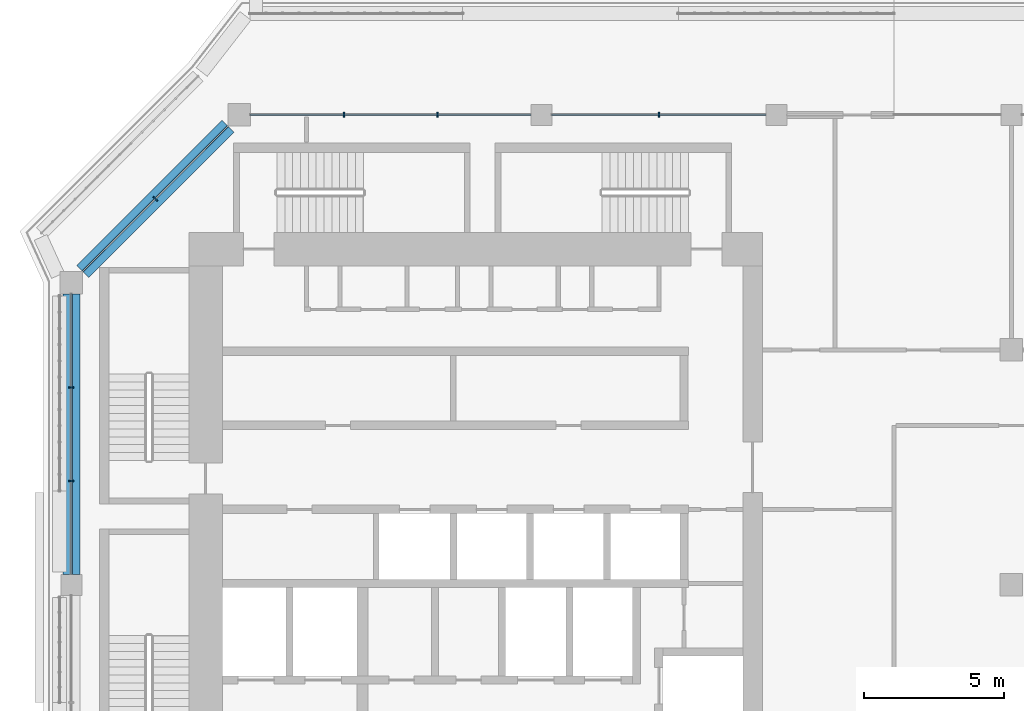
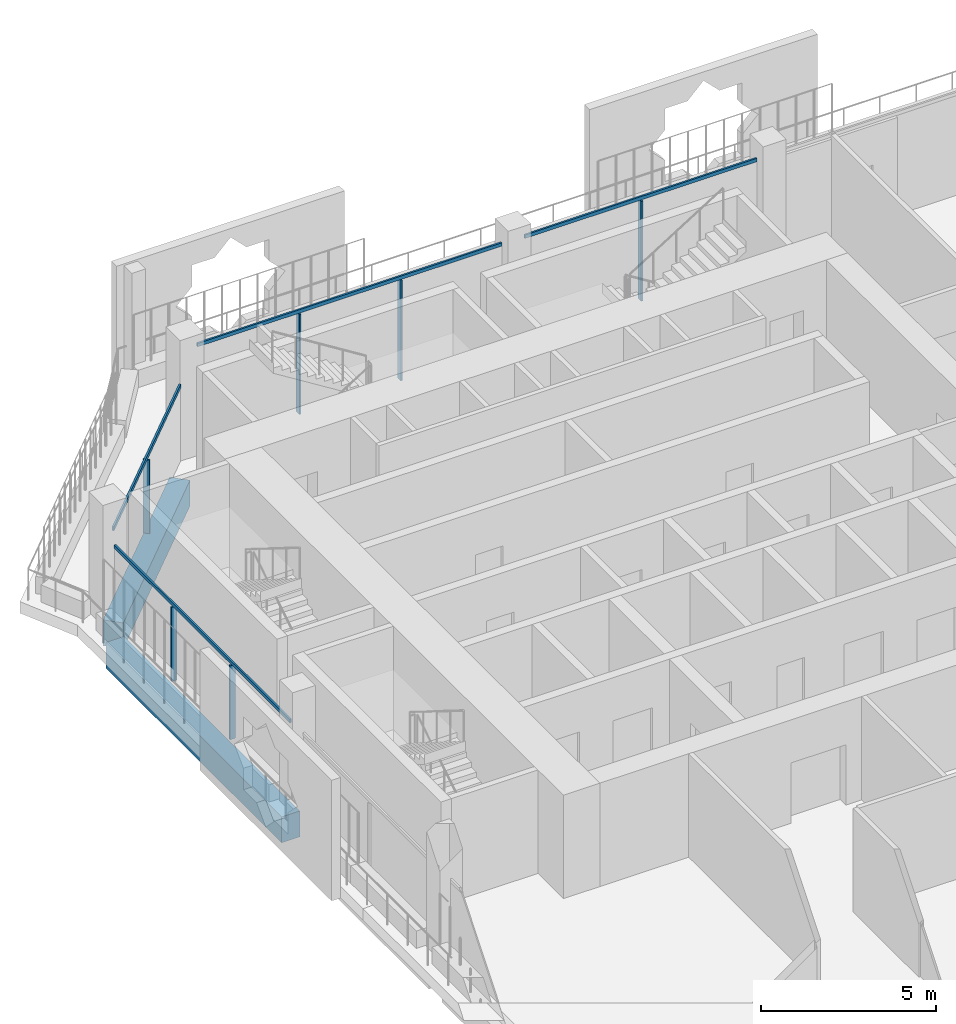
# One storey, part 6 of 21: 10 members, 2 beams, 3 elements without a shape of their own.
"""IFC4 building model written with IfcOpenShell, lengths in metres."""

from ifc_helpers import new_model, si_unit, direction, frame, origin, origin_2d, place, context, subcontext, project, spatial, rectangle, extrude, material, layer, layer_set, material_profile, profile_set, type_object, element, aggregate, save


model = new_model("IFC4")

# Units and contexts
model_context = context("Model", 3, precision=1e-05, world=origin(), true_north=direction((0.0, 1.0)))
body_context = subcontext(model_context, "Body", "Model", "MODEL_VIEW")
ifc_project = project(units=[si_unit("LENGTHUNIT", "METRE"), si_unit("AREAUNIT", "SQUARE_METRE"), si_unit("VOLUMEUNIT", "CUBIC_METRE"), si_unit("PLANEANGLEUNIT", "RADIAN"), si_unit("MASSUNIT", "GRAM", prefix="KILO")], contexts=[model_context])

# Site, building, storey
site_placement = place(None, origin())
site = spatial("IfcSite", under=ifc_project, at=site_placement, CompositionType="ELEMENT")
building_placement = place(site_placement, origin())
building = spatial("IfcBuilding", under=site, at=building_placement, Name="Kawkab Arch Medical Tower", CompositionType="ELEMENT")
storey_placement = place(building_placement, frame((0.0, 0.0, 302.800048828125)))
storey = spatial("IfcBuildingStorey", under=building, at=storey_placement, Name="L70", CompositionType="ELEMENT", Elevation=302.800048828125)

# Curtain wall, members
ifc_material_1 = material(Name="Bronze anodised aluminium curtain wall frame", Category="aluminium")
ifc_layer_1 = layer(ifc_material_1, 0.159912109375)
ifc_layer_set_1 = layer_set([ifc_layer_1], Name="Bronze anodised aluminium curtain wall frame")
curtain_wall_type_1 = type_object("IfcCurtainWallType", Name="CW1 ward curtain wall", PredefinedType="NOTDEFINED", material=ifc_layer_set_1)
placement = place(storey_placement, origin())
curtain_wall_1 = element("IfcCurtainWall", 1, at=placement, inside=storey, type_object=curtain_wall_type_1, Name="CW1 Ward curtain wall R02", PredefinedType="NOTDEFINED")
ifc_material_2 = material(Name="Bronze anodised aluminium curtain wall frame", Category="aluminium")
ifc_material_profile_1 = material_profile(ifc_material_2, rectangle(XDim=0.179931640625, YDim=0.06005859375, at=origin_2d()), Name="AL 60x180")
ifc_profile_set_1 = profile_set([ifc_material_profile_1], Name="Bronze anodised aluminium curtain wall frame")
member_type_1 = type_object("IfcMemberType", Name="CW1 mullion 60 x 180", PredefinedType="MULLION", material=ifc_profile_set_1)
member_1_placement = place(storey_placement, frame((0.0, -9.74169921875, 0.0), z_axis=(0.0, 0.0, 1.0), x_axis=(1.0, 0.0, 0.0)))
member_1 = element("IfcMember", 2, at=member_1_placement, type_object=member_type_1, Name="CW1 mullion 1.1", PredefinedType="MULLION", context=body_context, shape_type="SweptSolid", body=[
    extrude(rectangle(XDim=0.179931640625, YDim=0.06005859375, at=origin_2d()), origin(), (0.0, 0.0, 1.0), 2.579833984375),
])
member_2_placement = place(storey_placement, frame((0.0, -13.083251953125, 0.0), z_axis=(0.0, 0.0, 1.0), x_axis=(1.0, 0.0, 0.0)))
member_2 = element("IfcMember", 3, at=member_2_placement, type_object=member_type_1, Name="CW1 mullion 1.2", PredefinedType="MULLION", context=body_context, shape_type="SweptSolid", body=[
    extrude(rectangle(XDim=0.179931640625, YDim=0.06005859375, at=origin_2d()), origin(), (0.0, 0.0, 1.0), 2.579833984375),
])

curtain_wall_2 = element("IfcCurtainWall", 4, at=placement, inside=storey, type_object=curtain_wall_type_1, Name="CW1 Ward curtain wall R15", PredefinedType="NOTDEFINED")
member_3_placement = place(storey_placement, frame((21.0, 0.0, 0.0), z_axis=(0.0, 0.0, 1.0), x_axis=(0.0, -1.0, 0.0)))
member_3 = element("IfcMember", 5, at=member_3_placement, type_object=member_type_1, Name="CW1 mullion 4.1", PredefinedType="MULLION", context=body_context, shape_type="SweptSolid", body=[
    extrude(rectangle(XDim=0.179931640625, YDim=0.06005859375, at=origin_2d()), origin(), (0.0, 0.0, 1.0), 3.47998046875),
])
member_4_placement = place(storey_placement, frame((13.083251953125, 0.0, 0.0), z_axis=(0.0, 0.0, 1.0), x_axis=(0.0, -1.0, 0.0)))
member_4 = element("IfcMember", 6, at=member_4_placement, type_object=member_type_1, Name="CW1 mullion 5.1", PredefinedType="MULLION", context=body_context, shape_type="SweptSolid", body=[
    extrude(rectangle(XDim=0.179931640625, YDim=0.06005859375, at=origin_2d()), origin(), (0.0, 0.0, 1.0), 3.47998046875),
])
member_5_placement = place(storey_placement, frame((9.74169921875, 0.0, 0.0), z_axis=(0.0, 0.0, 1.0), x_axis=(0.0, -1.0, 0.0)))
member_5 = element("IfcMember", 7, at=member_5_placement, type_object=member_type_1, Name="CW1 mullion 5.2", PredefinedType="MULLION", context=body_context, shape_type="SweptSolid", body=[
    extrude(rectangle(XDim=0.179931640625, YDim=0.06005859375, at=origin_2d()), origin(), (0.0, 0.0, 1.0), 3.47998046875),
])

# Member
ifc_material_3 = material(Name="Bronze anodised aluminium curtain wall frame", Category="aluminium")
ifc_material_profile_2 = material_profile(ifc_material_3, rectangle(XDim=0.06005859375, YDim=0.1201171875, at=origin_2d()), Name="AL 60x120")
ifc_profile_set_2 = profile_set([ifc_material_profile_2], Name="Bronze anodised aluminium curtain wall frame")
member_type_2 = type_object("IfcMemberType", Name="CW1 transom 120 x 60", PredefinedType="USERDEFINED", material=ifc_profile_set_2)
member_6_placement = place(storey_placement, frame((0.0, -6.39990234375, 2.639892578125), z_axis=(0.0, -1.0, 0.0), x_axis=(1.0, 0.0, 0.0)))
member_6 = element("IfcMember", 8, at=member_6_placement, type_object=member_type_2, Name="CW1 transom 1", ObjectType="TRANSOM", PredefinedType="USERDEFINED", context=body_context, shape_type="SweptSolid", body=[
    extrude(rectangle(XDim=0.06005859375, YDim=0.1201171875, at=origin_2d()), origin(), (0.0, 0.0, 1.0), 10.025146484375),
])

aggregate(curtain_wall_1, [member_6, member_1, member_2])

member_7_placement = place(storey_placement, frame((24.824951171875, 0.0, 3.5400390625), z_axis=(-1.0, 0.0, 0.0), x_axis=(0.0, -1.0, 0.0)))
member_7 = element("IfcMember", 9, at=member_7_placement, type_object=member_type_2, Name="CW1 transom 4", ObjectType="TRANSOM", PredefinedType="USERDEFINED", context=body_context, shape_type="SweptSolid", body=[
    extrude(rectangle(XDim=0.06005859375, YDim=0.1201171875, at=origin_2d()), origin(), (0.0, 0.0, 1.0), 7.64990234375),
])

member_8_placement = place(storey_placement, frame((16.425048828125, 0.0, 3.5400390625), z_axis=(-1.0, 0.0, 0.0), x_axis=(0.0, -1.0, 0.0)))
member_8 = element("IfcMember", 10, at=member_8_placement, type_object=member_type_2, Name="CW1 transom 5", ObjectType="TRANSOM", PredefinedType="USERDEFINED", context=body_context, shape_type="SweptSolid", body=[
    extrude(rectangle(XDim=0.06005859375, YDim=0.1201171875, at=origin_2d()), origin(), (0.0, 0.0, 1.0), 10.025146484375),
])

aggregate(curtain_wall_2, [member_7, member_3, member_8, member_4, member_5])

# Curtain wall, members
ifc_material_4 = material(Name="Bronze anodised aluminium curtain wall frame", Category="aluminium")
ifc_layer_2 = layer(ifc_material_4, 0.159912109375)
ifc_layer_set_2 = layer_set([ifc_layer_2], Name="Bronze anodised aluminium curtain wall frame")
curtain_wall_type_2 = type_object("IfcCurtainWallType", Name="CW2 chamfer curtain wall", PredefinedType="NOTDEFINED", material=ifc_layer_set_2)
curtain_wall_3 = element("IfcCurtainWall", 11, at=placement, inside=storey, type_object=curtain_wall_type_2, Name="CW2 Chamfer curtain wall R01", PredefinedType="NOTDEFINED")
ifc_material_5 = material(Name="Bronze anodised aluminium curtain wall frame", Category="aluminium")
ifc_material_profile_3 = material_profile(ifc_material_5, rectangle(XDim=0.199951171875, YDim=0.06005859375, at=origin_2d()), Name="AL 60x200")
ifc_profile_set_3 = profile_set([ifc_material_profile_3], Name="Bronze anodised aluminium curtain wall frame")
member_type_3 = type_object("IfcMemberType", Name="CW2 mullion 60 x 200", PredefinedType="MULLION", material=ifc_profile_set_3)
member_9_placement = place(storey_placement, frame((3.0, -3.0, 0.0), z_axis=(0.0, 0.0, 1.0), x_axis=(0.707106781187, -0.707106781187, 0.0)))
member_9 = element("IfcMember", 12, at=member_9_placement, type_object=member_type_3, Name="CW2 mullion 1.1", PredefinedType="MULLION", context=body_context, shape_type="SweptSolid", body=[
    extrude(rectangle(XDim=0.199951171875, YDim=0.06005859375, at=origin_2d()), origin(), (0.0, 0.0, 1.0), 2.56005859375),
])
ifc_material_6 = material(Name="Bronze anodised aluminium curtain wall frame", Category="aluminium")
ifc_material_profile_4 = material_profile(ifc_material_6, rectangle(XDim=0.06005859375, YDim=0.139892578125, at=origin_2d()), Name="AL 60x140")
ifc_profile_set_4 = profile_set([ifc_material_profile_4], Name="Bronze anodised aluminium curtain wall frame")
member_type_4 = type_object("IfcMemberType", Name="CW2 transom 140 x 60", PredefinedType="USERDEFINED", material=ifc_profile_set_4)
member_10_placement = place(storey_placement, frame((5.60009765625, -0.39990234375, 2.6298828125), z_axis=(-0.707106781187, -0.707106781187, 0.0), x_axis=(0.707106781187, -0.707106781187, 0.0)))
member_10 = element("IfcMember", 13, at=member_10_placement, type_object=member_type_4, Name="CW2 transom 1", ObjectType="TRANSOM", PredefinedType="USERDEFINED", context=body_context, shape_type="SweptSolid", body=[
    extrude(rectangle(XDim=0.06005859375, YDim=0.139892578125, at=origin_2d()), origin(), (0.0, 0.0, 1.0), 7.354248046875),
])
aggregate(curtain_wall_3, [member_10, member_9])

# Beams
ifc_material_7 = material(Name="Concrete C40/50", Category="concrete")
ifc_material_profile_5 = material_profile(ifc_material_7, rectangle(XDim=0.60009765625, YDim=0.89990234375, at=origin_2d()), Name="RC 600x900")
ifc_profile_set_5 = profile_set([ifc_material_profile_5], Name="Concrete C40/50")
beam_type = type_object("IfcBeamType", Name="RC 600x900 beam C40/50", PredefinedType="BEAM", material=ifc_profile_set_5)
beam_1_placement = place(storey_placement, frame((0.39990234375, -5.60009765625, -1.050048828125), z_axis=(0.707106781187, 0.707106781187, 0.0), x_axis=(-0.707106781187, 0.707106781187, 0.0)))
element("IfcBeam", 14, at=beam_1_placement, inside=storey, type_object=beam_type, Name="Overhang edge beam L70-01", PredefinedType="BEAM", context=body_context, shape_type="SweptSolid", body=[
    extrude(rectangle(XDim=0.60009765625, YDim=0.89990234375, at=origin_2d()), origin(), (0.0, 0.0, 1.0), 7.354248046875),
])
beam_2_placement = place(storey_placement, frame((0.0, -16.425048828125, -1.050048828125), z_axis=(0.0, 1.0, 0.0), x_axis=(-1.0, 0.0, 0.0)))
element("IfcBeam", 15, at=beam_2_placement, inside=storey, type_object=beam_type, Name="Overhang edge beam L70-05", PredefinedType="BEAM", context=body_context, shape_type="SweptSolid", body=[
    extrude(rectangle(XDim=0.60009765625, YDim=0.89990234375, at=origin_2d()), origin(), (0.0, 0.0, 1.0), 10.025146484375),
])

save(model, "model.ifc")
